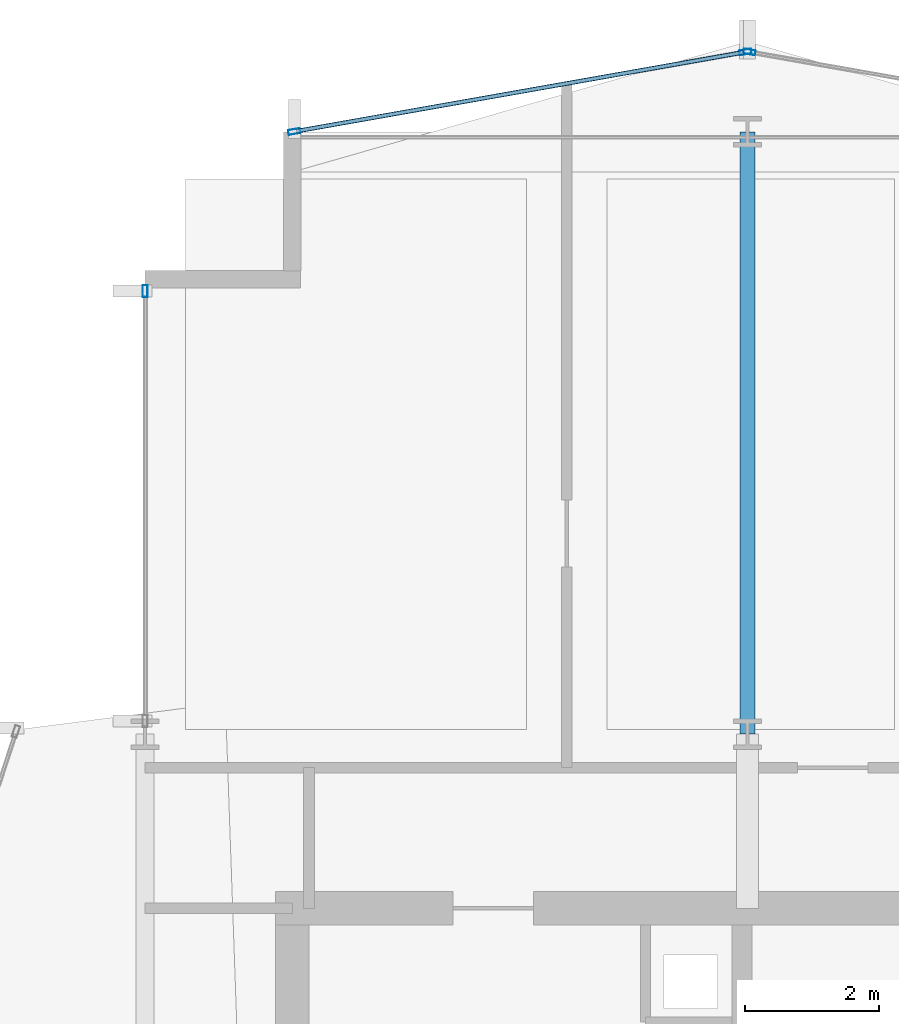
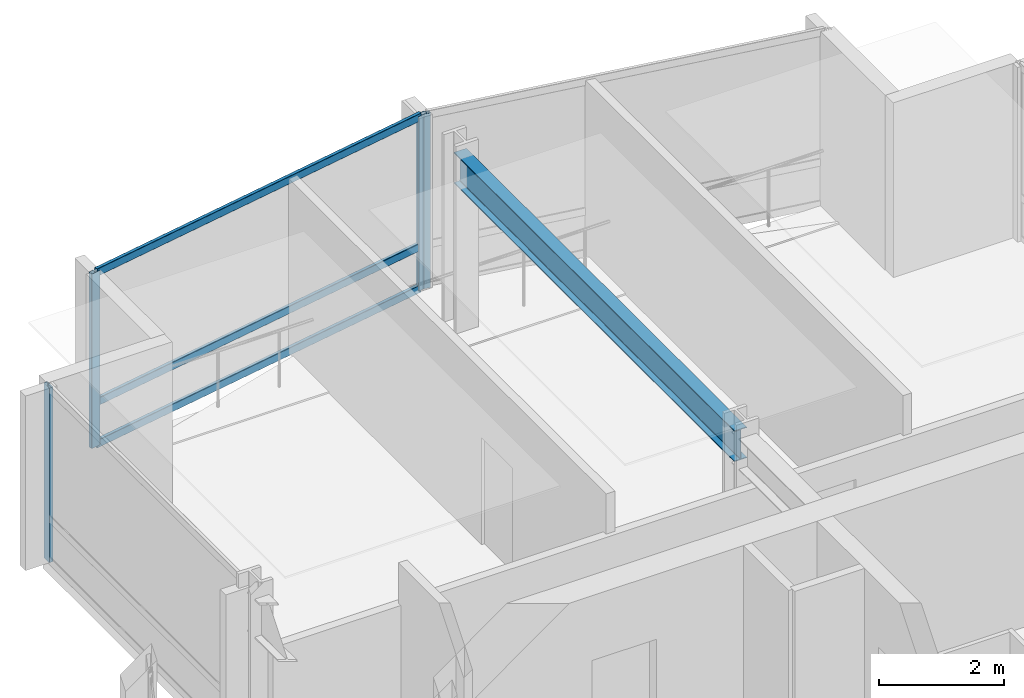
# One storey, part 19 of 28: 7 members, 1 beam, 3 elements without a shape of their own.
"""IFC4 building model written with IfcOpenShell, lengths in metres."""

from ifc_helpers import new_model, si_unit, direction, frame, origin, origin_2d, place, context, subcontext, project, spatial, hollow_rectangle, i_section, extrude, material, layer, layer_set, material_profile, profile_set, type_object, element, aggregate, save


model = new_model("IFC4")

# Units and contexts
model_context = context("Model", 3, precision=1e-05, world=origin(), true_north=direction((0.0, 1.0)))
body_context = subcontext(model_context, "Body", "Model", "MODEL_VIEW")
ifc_project = project(units=[si_unit("LENGTHUNIT", "METRE"), si_unit("AREAUNIT", "SQUARE_METRE"), si_unit("VOLUMEUNIT", "CUBIC_METRE"), si_unit("PLANEANGLEUNIT", "RADIAN"), si_unit("MASSUNIT", "GRAM", prefix="KILO")], contexts=[model_context])

# Site, building, storey
site_placement = place(None, origin())
site = spatial("IfcSite", under=ifc_project, at=site_placement, CompositionType="ELEMENT")
building_placement = place(site_placement, origin())
building = spatial("IfcBuilding", under=site, at=building_placement, Name="Solvaryn Broadcast Tower", CompositionType="ELEMENT")
storey_placement = place(building_placement, frame((0.0, 0.0, 132.199951171875)))
storey = spatial("IfcBuildingStorey", under=building, at=storey_placement, Name="L32", CompositionType="ELEMENT", Elevation=132.199951171875)

# Beam
ifc_material_1 = material(Name="Steel ASTM A992 Grade 50", Category="steel")
ifc_material_profile_1 = material_profile(ifc_material_1, i_section(OverallWidth=0.22802734375, OverallDepth=0.60791015625, WebThickness=0.01123046875, FlangeThickness=0.017333984375, FilletRadius=0.014892578125, at=origin_2d()))
ifc_profile_set_1 = profile_set([ifc_material_profile_1], Name="Steel ASTM A992 Grade 50")
beam_type = type_object("IfcBeamType", Name="BM-B2-W24X76", PredefinedType="BEAM", material=ifc_profile_set_1)
beam_placement = place(storey_placement, frame((18.0, 45.0, 3.115966796875), z_axis=(0.0, 1.0, 0.0), x_axis=(-1.0, 0.0, 0.0)))
element("IfcBeam", 1, at=beam_placement, inside=storey, type_object=beam_type, Name="L32 Primary Beam Y (45-54 @ X=18)", PredefinedType="BEAM", context=body_context, shape_type="SweptSolid", body=[
    extrude(i_section(OverallWidth=0.22802734375, OverallDepth=0.60791015625, WebThickness=0.01123046875, FlangeThickness=0.017333984375, FilletRadius=0.014892578125, at=origin_2d()), origin(), (0.0, 0.0, 1.0), 9.0),
])

# Curtain wall, member
ifc_material_2 = material(Name="Aluminium and Terracotta Unitised Curtain Wall", Category="masonry")
ifc_layer = layer(ifc_material_2, 0.199951171875)
ifc_layer_set = layer_set([ifc_layer], Name="CW-SYS2-LOWMID")
curtain_wall_type = type_object("IfcCurtainWallType", Name="CW-SYS2-LOWMID", PredefinedType="NOTDEFINED", material=ifc_layer_set)
curtain_wall_1_placement = place(storey_placement, origin())
curtain_wall_1 = element("IfcCurtainWall", 2, at=curtain_wall_1_placement, inside=storey, type_object=curtain_wall_type, Name="L32 Curtain Wall W2", PredefinedType="NOTDEFINED")
ifc_material_3 = material(Name="Anodised Aluminium 6063-T6", Category="aluminium")
ifc_material_profile_2 = material_profile(ifc_material_3, hollow_rectangle(XDim=0.074951171875, YDim=0.179931640625, WallThickness=0.00390625, InnerFilletRadius=0.00390625, OuterFilletRadius=0.008056640625, at=origin_2d()))
ifc_profile_set_2 = profile_set([ifc_material_profile_2], Name="Anodised Aluminium 6063-T6")
member_type_1 = type_object("IfcMemberType", Name="CW-MUL-180", PredefinedType="MULLION", material=ifc_profile_set_2)
member_1_placement = place(storey_placement, frame((9.0, 51.6201171875, 0.0), z_axis=(0.0, 0.0, 1.0), x_axis=(-1.0, 0.0, 0.0)))
member_1 = element("IfcMember", 3, at=member_1_placement, type_object=member_type_1, Name="CWS2 mullion 2", PredefinedType="MULLION", context=body_context, shape_type="SweptSolid", body=[
    extrude(hollow_rectangle(XDim=0.074951171875, YDim=0.179931640625, WallThickness=0.00390625, InnerFilletRadius=0.00390625, OuterFilletRadius=0.008056640625, at=origin_2d()), origin(), (0.0, 0.0, 1.0), 3.420166015625),
])
aggregate(curtain_wall_1, [member_1])

curtain_wall_2_placement = place(storey_placement, origin())
curtain_wall_2 = element("IfcCurtainWall", 4, at=curtain_wall_2_placement, inside=storey, type_object=curtain_wall_type, Name="L32 Curtain Wall NT1", PredefinedType="NOTDEFINED")
member_2_placement = place(storey_placement, frame((18.029541015625, 55.19482421875, 0.0), z_axis=(0.0, 0.0, 1.0), x_axis=(-0.173785333901, -0.984783558819, 0.0)))
member_2 = element("IfcMember", 5, at=member_2_placement, type_object=member_type_1, Name="CWS2 mullion 2", PredefinedType="MULLION", context=body_context, shape_type="SweptSolid", body=[
    extrude(hollow_rectangle(XDim=0.074951171875, YDim=0.179931640625, WallThickness=0.00390625, InnerFilletRadius=0.00390625, OuterFilletRadius=0.008056640625, at=origin_2d()), origin(), (0.0, 0.0, 1.0), 3.420166015625),
])
aggregate(curtain_wall_2, [member_2])

# Curtain wall, members
curtain_wall_3_placement = place(storey_placement, origin())
curtain_wall_3 = element("IfcCurtainWall", 6, at=curtain_wall_3_placement, inside=storey, type_object=curtain_wall_type, Name="L32 Curtain Wall NT2", PredefinedType="NOTDEFINED")
member_3_placement = place(storey_placement, frame((17.970458984375, 55.19482421875, 0.0), z_axis=(0.0, 0.0, 1.0), x_axis=(0.173785333901, -0.984783558819, 0.0)))
member_3 = element("IfcMember", 7, at=member_3_placement, type_object=member_type_1, Name="CWS2 mullion 1", PredefinedType="MULLION", context=body_context, shape_type="SweptSolid", body=[
    extrude(hollow_rectangle(XDim=0.074951171875, YDim=0.179931640625, WallThickness=0.00390625, InnerFilletRadius=0.00390625, OuterFilletRadius=0.008056640625, at=origin_2d()), origin(), (0.0, 0.0, 1.0), 3.420166015625),
])
member_4_placement = place(storey_placement, frame((11.2294921875, 54.005126953125, 0.0), z_axis=(0.0, 0.0, 1.0), x_axis=(0.173785333901, -0.984783558819, 0.0)))
member_4 = element("IfcMember", 8, at=member_4_placement, type_object=member_type_1, Name="CWS2 mullion 2", PredefinedType="MULLION", context=body_context, shape_type="SweptSolid", body=[
    extrude(hollow_rectangle(XDim=0.074951171875, YDim=0.179931640625, WallThickness=0.00390625, InnerFilletRadius=0.00390625, OuterFilletRadius=0.008056640625, at=origin_2d()), origin(), (0.0, 0.0, 1.0), 3.420166015625),
])
ifc_material_4 = material(Name="Anodised Aluminium 6063-T6", Category="aluminium")
ifc_material_profile_3 = material_profile(ifc_material_4, hollow_rectangle(XDim=0.06494140625, YDim=0.14990234375, WallThickness=0.00390625, InnerFilletRadius=0.00390625, OuterFilletRadius=0.008056640625, at=origin_2d()))
ifc_profile_set_3 = profile_set([ifc_material_profile_3], Name="Anodised Aluminium 6063-T6")
member_type_2 = type_object("IfcMemberType", Name="CW-TRN-150", PredefinedType="USERDEFINED", material=ifc_profile_set_3)
member_5_placement = place(storey_placement, frame((17.94091796875, 55.189453125, 0.030029296875), z_axis=(-0.984788629673, -0.173756596613, 0.0), x_axis=(0.173756596613, -0.984788629673, 0.0)))
member_5 = element("IfcMember", 9, at=member_5_placement, type_object=member_type_2, Name="CWS2 transom 1.1", ObjectType="TRANSOM", PredefinedType="USERDEFINED", context=body_context, shape_type="SweptSolid", body=[
    extrude(hollow_rectangle(XDim=0.06494140625, YDim=0.14990234375, WallThickness=0.00390625, InnerFilletRadius=0.00390625, OuterFilletRadius=0.008056640625, at=origin_2d()), origin(), (0.0, 0.0, 1.0), 6.78515625),
])
member_6_placement = place(storey_placement, frame((17.94091796875, 55.189453125, 0.85009765625), z_axis=(-0.984788629673, -0.173756596613, 0.0), x_axis=(0.173756596613, -0.984788629673, 0.0)))
member_6 = element("IfcMember", 10, at=member_6_placement, type_object=member_type_2, Name="CWS2 transom 1.2", ObjectType="TRANSOM", PredefinedType="USERDEFINED", context=body_context, shape_type="SweptSolid", body=[
    extrude(hollow_rectangle(XDim=0.06494140625, YDim=0.14990234375, WallThickness=0.00390625, InnerFilletRadius=0.00390625, OuterFilletRadius=0.008056640625, at=origin_2d()), origin(), (0.0, 0.0, 1.0), 6.78515625),
])
member_7_placement = place(storey_placement, frame((17.94091796875, 55.189453125, 3.39013671875), z_axis=(-0.984788629673, -0.173756596613, 0.0), x_axis=(0.173756596613, -0.984788629673, 0.0)))
member_7 = element("IfcMember", 11, at=member_7_placement, type_object=member_type_2, Name="CWS2 transom 1.3", ObjectType="TRANSOM", PredefinedType="USERDEFINED", context=body_context, shape_type="SweptSolid", body=[
    extrude(hollow_rectangle(XDim=0.06494140625, YDim=0.14990234375, WallThickness=0.00390625, InnerFilletRadius=0.00390625, OuterFilletRadius=0.008056640625, at=origin_2d()), origin(), (0.0, 0.0, 1.0), 6.78515625),
])
aggregate(curtain_wall_3, [member_3, member_4, member_5, member_6, member_7])

save(model, "model.ifc")
